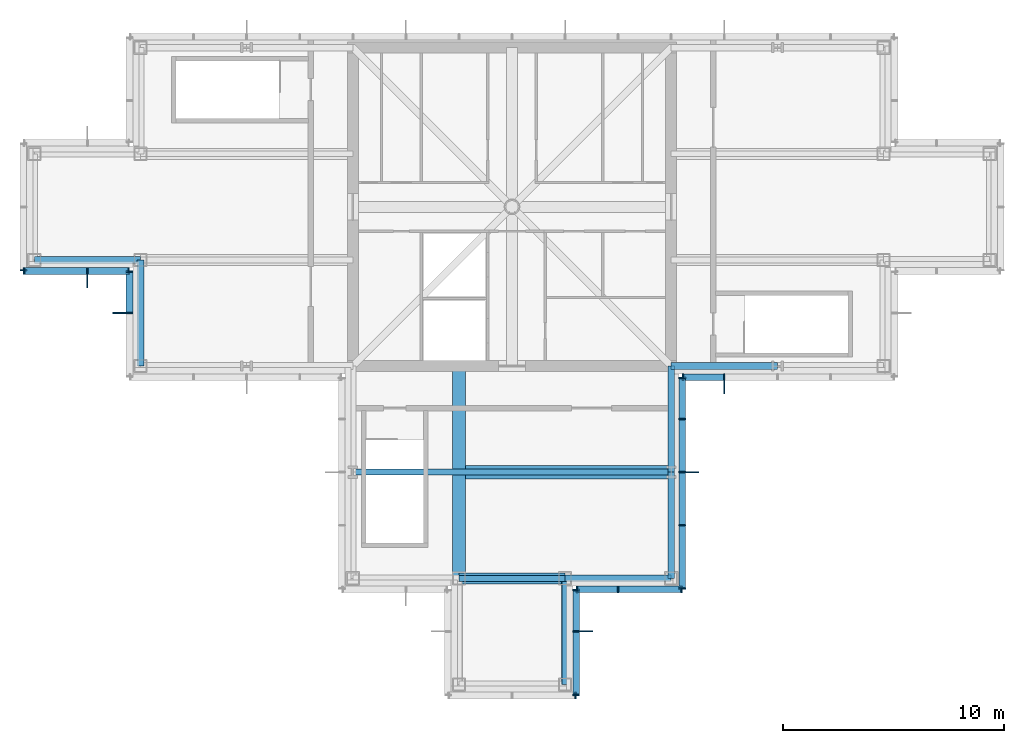
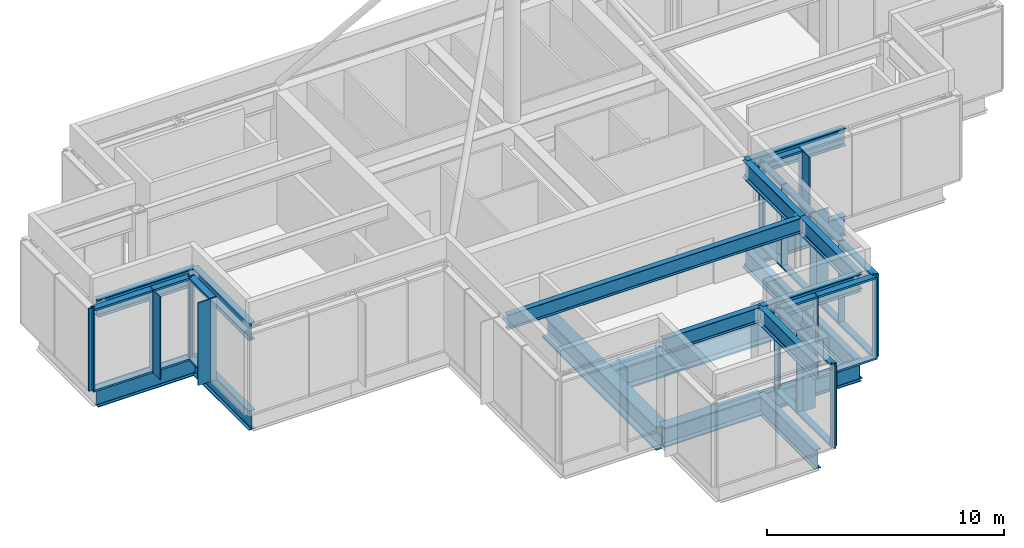
# One storey, part 3 of 10: 49 members, 19 beams, 8 elements without a shape of their own.
"""IFC4 building model written with IfcOpenShell, lengths in metres."""

from ifc_helpers import new_model, si_unit, direction, frame, origin, origin_2d, place, context, subcontext, project, spatial, rectangle, i_section, extrude, material, material_profile, profile_set, type_object, element, aggregate, save


model = new_model("IFC4")

# Units and contexts
model_context = context("Model", 3, precision=1e-05, world=origin(), true_north=direction((0.0, 1.0)))
body_context = subcontext(model_context, "Body", "Model", "MODEL_VIEW")
ifc_project = project(units=[si_unit("LENGTHUNIT", "METRE"), si_unit("AREAUNIT", "SQUARE_METRE"), si_unit("VOLUMEUNIT", "CUBIC_METRE"), si_unit("PLANEANGLEUNIT", "RADIAN"), si_unit("MASSUNIT", "GRAM", prefix="KILO")], contexts=[model_context])

# Site, building, storey
site_placement = place(None, origin())
site = spatial("IfcSite", under=ifc_project, at=site_placement, CompositionType="ELEMENT")
building_placement = place(site_placement, origin())
building = spatial("IfcBuilding", under=site, at=building_placement, Name="Kvirike Care Tower", CompositionType="ELEMENT")
storey_placement = place(building_placement, frame((0.0, 0.0, 248.0)))
storey = spatial("IfcBuildingStorey", under=building, at=storey_placement, Name="L68", CompositionType="ELEMENT", Elevation=248.0)

# Curtain wall, member
ifc_material_1 = material(Name="Anodised aluminium stick system", Category="aluminium")
curtain_wall_type = type_object("IfcCurtainWallType", Name="CW-L LOUVRED PLANT SCREEN", PredefinedType="NOTDEFINED", material=ifc_material_1)
curtain_wall_1_placement = place(storey_placement, origin())
curtain_wall_1 = element("IfcCurtainWall", 1, at=curtain_wall_1_placement, inside=storey, type_object=curtain_wall_type, Name="Curtain wall L68 face 1", PredefinedType="NOTDEFINED")
ifc_material_2 = material(Name="Bronze anodised aluminium fin", Category="aluminium")
ifc_material_profile_1 = material_profile(ifc_material_2, rectangle(XDim=0.050048828125, YDim=0.60009765625, at=origin_2d()), Name="BRONZE FIN 600")
ifc_profile_set_1 = profile_set([ifc_material_profile_1], Name="Bronze anodised aluminium fin")
member_type_1 = type_object("IfcMemberType", Name="BRONZE FIN 600", PredefinedType="USERDEFINED", material=ifc_profile_set_1)
member_1_placement = place(storey_placement, frame((31.199951171875, 27.85009765625, 0.0), z_axis=(0.0, 0.0, 1.0), x_axis=(1.0, 0.0, 0.0)))
member_1 = element("IfcMember", 2, at=member_1_placement, type_object=member_type_1, Name="Bronze fin L68 face 1.2", ObjectType="FIN", PredefinedType="USERDEFINED", context=body_context, shape_type="SweptSolid", body=[
    extrude(rectangle(XDim=0.050048828125, YDim=0.60009765625, at=origin_2d()), origin(), (0.0, 0.0, 1.0), 4.25),
])

curtain_wall_2_placement = place(storey_placement, origin())
curtain_wall_2 = element("IfcCurtainWall", 3, at=curtain_wall_2_placement, inside=storey, type_object=curtain_wall_type, Name="Curtain wall L68 face 11", PredefinedType="NOTDEFINED")
member_2_placement = place(storey_placement, frame((2.39990234375, 32.64990234375, 0.0), z_axis=(0.0, 0.0, 1.0), x_axis=(1.0, 0.0, 0.0)))
member_2 = element("IfcMember", 4, at=member_2_placement, type_object=member_type_1, Name="Bronze fin L68 face 11.2", ObjectType="FIN", PredefinedType="USERDEFINED", context=body_context, shape_type="SweptSolid", body=[
    extrude(rectangle(XDim=0.050048828125, YDim=0.60009765625, at=origin_2d()), origin(), (0.0, 0.0, 1.0), 4.25),
])

curtain_wall_3_placement = place(storey_placement, origin())
curtain_wall_3 = element("IfcCurtainWall", 5, at=curtain_wall_3_placement, inside=storey, type_object=curtain_wall_type, Name="Curtain wall L68 face 12", PredefinedType="NOTDEFINED")
member_3_placement = place(storey_placement, frame((3.85009765625, 31.199951171875, 0.0), z_axis=(0.0, 0.0, 1.0), x_axis=(0.0, -1.0, 0.0)))
member_3 = element("IfcMember", 6, at=member_3_placement, type_object=member_type_1, Name="Bronze fin L68 face 12.2", ObjectType="FIN", PredefinedType="USERDEFINED", context=body_context, shape_type="SweptSolid", body=[
    extrude(rectangle(XDim=0.050048828125, YDim=0.60009765625, at=origin_2d()), origin(), (0.0, 0.0, 1.0), 4.25),
])

curtain_wall_4_placement = place(storey_placement, origin())
curtain_wall_4 = element("IfcCurtainWall", 7, at=curtain_wall_4_placement, inside=storey, type_object=curtain_wall_type, Name="Curtain wall L68 face 18", PredefinedType="NOTDEFINED")
member_4_placement = place(storey_placement, frame((24.949951171875, 16.800048828125, 0.0), z_axis=(0.0, 0.0, 1.0), x_axis=(0.0, 1.0, 0.0)))
member_4 = element("IfcMember", 8, at=member_4_placement, type_object=member_type_1, Name="Bronze fin L68 face 18.2", ObjectType="FIN", PredefinedType="USERDEFINED", context=body_context, shape_type="SweptSolid", body=[
    extrude(rectangle(XDim=0.050048828125, YDim=0.60009765625, at=origin_2d()), origin(), (0.0, 0.0, 1.0), 4.25),
])

curtain_wall_5_placement = place(storey_placement, origin())
curtain_wall_5 = element("IfcCurtainWall", 9, at=curtain_wall_5_placement, inside=storey, type_object=curtain_wall_type, Name="Curtain wall L68 face 20", PredefinedType="NOTDEFINED")
member_5_placement = place(storey_placement, frame((29.75, 24.0, 0.0), z_axis=(0.0, 0.0, 1.0), x_axis=(0.0, 1.0, 0.0)))
member_5 = element("IfcMember", 10, at=member_5_placement, type_object=member_type_1, Name="Bronze fin L68 face 20.3", ObjectType="FIN", PredefinedType="USERDEFINED", context=body_context, shape_type="SweptSolid", body=[
    extrude(rectangle(XDim=0.050048828125, YDim=0.60009765625, at=origin_2d()), origin(), (0.0, 0.0, 1.0), 4.25),
])

# Member
ifc_material_3 = material(Name="Bronze anodised aluminium mullion", Category="aluminium")
ifc_material_profile_2 = material_profile(ifc_material_3, rectangle(XDim=0.06494140625, YDim=0.300048828125, at=origin_2d()), Name="CW-L MULLION 65x300")
ifc_profile_set_2 = profile_set([ifc_material_profile_2], Name="Bronze anodised aluminium mullion")
member_type_2 = type_object("IfcMemberType", Name="CW-L MULLION 65x300", PredefinedType="MULLION", material=ifc_profile_set_2)
member_6_placement = place(storey_placement, frame((29.33251953125, 28.300048828125, 0.0), z_axis=(0.0, 0.0, 1.0), x_axis=(1.0, 0.0, 0.0)))
member_6 = element("IfcMember", 11, at=member_6_placement, type_object=member_type_2, Name="CW-L mullion L68 face 1.1", PredefinedType="MULLION", context=body_context, shape_type="SweptSolid", body=[
    extrude(rectangle(XDim=0.06494140625, YDim=0.300048828125, at=origin_2d()), origin(), (0.0, 0.0, 1.0), 4.25),
])

member_7_placement = place(storey_placement, frame((31.199951171875, 28.300048828125, 0.0), z_axis=(0.0, 0.0, 1.0), x_axis=(1.0, 0.0, 0.0)))
member_7 = element("IfcMember", 12, at=member_7_placement, type_object=member_type_2, Name="CW-L mullion L68 face 1.2", PredefinedType="MULLION", context=body_context, shape_type="SweptSolid", body=[
    extrude(rectangle(XDim=0.06494140625, YDim=0.300048828125, at=origin_2d()), origin(), (0.0, 0.0, 1.0), 4.25),
])

# Curtain wall, member
curtain_wall_6_placement = place(storey_placement, origin())
curtain_wall_6 = element("IfcCurtainWall", 13, at=curtain_wall_6_placement, inside=storey, type_object=curtain_wall_type, Name="Curtain wall L68 face 10", PredefinedType="NOTDEFINED")
member_8_placement = place(storey_placement, frame((-0.5, 33.132568359375, 0.0), z_axis=(0.0, 0.0, 1.0), x_axis=(0.0, -1.0, 0.0)))
member_8 = element("IfcMember", 14, at=member_8_placement, type_object=member_type_2, Name="CW-L mullion L68 face 10.3", PredefinedType="MULLION", context=body_context, shape_type="SweptSolid", body=[
    extrude(rectangle(XDim=0.06494140625, YDim=0.300048828125, at=origin_2d()), origin(), (0.0, 0.0, 1.0), 4.25),
])
aggregate(curtain_wall_6, [member_8])

# Member
member_9_placement = place(storey_placement, frame((-0.467529296875, 33.10009765625, 0.0), z_axis=(0.0, 0.0, 1.0), x_axis=(1.0, 0.0, 0.0)))
member_9 = element("IfcMember", 15, at=member_9_placement, type_object=member_type_2, Name="CW-L mullion L68 face 11.1", PredefinedType="MULLION", context=body_context, shape_type="SweptSolid", body=[
    extrude(rectangle(XDim=0.06494140625, YDim=0.300048828125, at=origin_2d()), origin(), (0.0, 0.0, 1.0), 4.25),
])

member_10_placement = place(storey_placement, frame((2.39990234375, 33.10009765625, 0.0), z_axis=(0.0, 0.0, 1.0), x_axis=(1.0, 0.0, 0.0)))
member_10 = element("IfcMember", 16, at=member_10_placement, type_object=member_type_2, Name="CW-L mullion L68 face 11.2", PredefinedType="MULLION", context=body_context, shape_type="SweptSolid", body=[
    extrude(rectangle(XDim=0.06494140625, YDim=0.300048828125, at=origin_2d()), origin(), (0.0, 0.0, 1.0), 4.25),
])

member_11_placement = place(storey_placement, frame((4.267578125, 33.10009765625, 0.0), z_axis=(0.0, 0.0, 1.0), x_axis=(1.0, 0.0, 0.0)))
member_11 = element("IfcMember", 17, at=member_11_placement, type_object=member_type_2, Name="CW-L mullion L68 face 11.3", PredefinedType="MULLION", context=body_context, shape_type="SweptSolid", body=[
    extrude(rectangle(XDim=0.06494140625, YDim=0.300048828125, at=origin_2d()), origin(), (0.0, 0.0, 1.0), 4.25),
])

member_12_placement = place(storey_placement, frame((4.300048828125, 33.0673828125, 0.0), z_axis=(0.0, 0.0, 1.0), x_axis=(0.0, -1.0, 0.0)))
member_12 = element("IfcMember", 18, at=member_12_placement, type_object=member_type_2, Name="CW-L mullion L68 face 12.1", PredefinedType="MULLION", context=body_context, shape_type="SweptSolid", body=[
    extrude(rectangle(XDim=0.06494140625, YDim=0.300048828125, at=origin_2d()), origin(), (0.0, 0.0, 1.0), 4.25),
])

member_13_placement = place(storey_placement, frame((4.300048828125, 31.199951171875, 0.0), z_axis=(0.0, 0.0, 1.0), x_axis=(0.0, -1.0, 0.0)))
member_13 = element("IfcMember", 19, at=member_13_placement, type_object=member_type_2, Name="CW-L mullion L68 face 12.2", PredefinedType="MULLION", context=body_context, shape_type="SweptSolid", body=[
    extrude(rectangle(XDim=0.06494140625, YDim=0.300048828125, at=origin_2d()), origin(), (0.0, 0.0, 1.0), 4.25),
])

# Curtain wall, member
curtain_wall_7_placement = place(storey_placement, origin())
curtain_wall_7 = element("IfcCurtainWall", 20, at=curtain_wall_7_placement, inside=storey, type_object=curtain_wall_type, Name="Curtain wall L68 face 17", PredefinedType="NOTDEFINED")
member_14_placement = place(storey_placement, frame((24.467529296875, 13.89990234375, 0.0), z_axis=(0.0, 0.0, 1.0), x_axis=(1.0, 0.0, 0.0)))
member_14 = element("IfcMember", 21, at=member_14_placement, type_object=member_type_2, Name="CW-L mullion L68 face 17.3", PredefinedType="MULLION", context=body_context, shape_type="SweptSolid", body=[
    extrude(rectangle(XDim=0.06494140625, YDim=0.300048828125, at=origin_2d()), origin(), (0.0, 0.0, 1.0), 4.25),
])
aggregate(curtain_wall_7, [member_14])

# Member
member_15_placement = place(storey_placement, frame((24.5, 13.9326171875, 0.0), z_axis=(0.0, 0.0, 1.0), x_axis=(0.0, 1.0, 0.0)))
member_15 = element("IfcMember", 22, at=member_15_placement, type_object=member_type_2, Name="CW-L mullion L68 face 18.1", PredefinedType="MULLION", context=body_context, shape_type="SweptSolid", body=[
    extrude(rectangle(XDim=0.06494140625, YDim=0.300048828125, at=origin_2d()), origin(), (0.0, 0.0, 1.0), 4.25),
])

member_16_placement = place(storey_placement, frame((24.5, 16.800048828125, 0.0), z_axis=(0.0, 0.0, 1.0), x_axis=(0.0, 1.0, 0.0)))
member_16 = element("IfcMember", 23, at=member_16_placement, type_object=member_type_2, Name="CW-L mullion L68 face 18.2", PredefinedType="MULLION", context=body_context, shape_type="SweptSolid", body=[
    extrude(rectangle(XDim=0.06494140625, YDim=0.300048828125, at=origin_2d()), origin(), (0.0, 0.0, 1.0), 4.25),
])

member_17_placement = place(storey_placement, frame((24.5, 18.66748046875, 0.0), z_axis=(0.0, 0.0, 1.0), x_axis=(0.0, 1.0, 0.0)))
member_17 = element("IfcMember", 24, at=member_17_placement, type_object=member_type_2, Name="CW-L mullion L68 face 18.3", PredefinedType="MULLION", context=body_context, shape_type="SweptSolid", body=[
    extrude(rectangle(XDim=0.06494140625, YDim=0.300048828125, at=origin_2d()), origin(), (0.0, 0.0, 1.0), 4.25),
])

# Curtain wall, members
curtain_wall_8_placement = place(storey_placement, origin())
curtain_wall_8 = element("IfcCurtainWall", 25, at=curtain_wall_8_placement, inside=storey, type_object=curtain_wall_type, Name="Curtain wall L68 face 19", PredefinedType="NOTDEFINED")
member_18_placement = place(storey_placement, frame((24.532470703125, 18.699951171875, 0.0), z_axis=(0.0, 0.0, 1.0), x_axis=(1.0, 0.0, 0.0)))
member_18 = element("IfcMember", 26, at=member_18_placement, type_object=member_type_2, Name="CW-L mullion L68 face 19.1", PredefinedType="MULLION", context=body_context, shape_type="SweptSolid", body=[
    extrude(rectangle(XDim=0.06494140625, YDim=0.300048828125, at=origin_2d()), origin(), (0.0, 0.0, 1.0), 4.25),
])
member_19_placement = place(storey_placement, frame((26.39990234375, 18.699951171875, 0.0), z_axis=(0.0, 0.0, 1.0), x_axis=(1.0, 0.0, 0.0)))
member_19 = element("IfcMember", 27, at=member_19_placement, type_object=member_type_2, Name="CW-L mullion L68 face 19.2", PredefinedType="MULLION", context=body_context, shape_type="SweptSolid", body=[
    extrude(rectangle(XDim=0.06494140625, YDim=0.300048828125, at=origin_2d()), origin(), (0.0, 0.0, 1.0), 4.25),
])
member_20_placement = place(storey_placement, frame((29.267578125, 18.699951171875, 0.0), z_axis=(0.0, 0.0, 1.0), x_axis=(1.0, 0.0, 0.0)))
member_20 = element("IfcMember", 28, at=member_20_placement, type_object=member_type_2, Name="CW-L mullion L68 face 19.3", PredefinedType="MULLION", context=body_context, shape_type="SweptSolid", body=[
    extrude(rectangle(XDim=0.06494140625, YDim=0.300048828125, at=origin_2d()), origin(), (0.0, 0.0, 1.0), 4.25),
])

# Member
member_21_placement = place(storey_placement, frame((29.300048828125, 18.732421875, 0.0), z_axis=(0.0, 0.0, 1.0), x_axis=(0.0, 1.0, 0.0)))
member_21 = element("IfcMember", 29, at=member_21_placement, type_object=member_type_2, Name="CW-L mullion L68 face 20.1", PredefinedType="MULLION", context=body_context, shape_type="SweptSolid", body=[
    extrude(rectangle(XDim=0.06494140625, YDim=0.300048828125, at=origin_2d()), origin(), (0.0, 0.0, 1.0), 4.25),
])

member_22_placement = place(storey_placement, frame((29.300048828125, 21.60009765625, 0.0), z_axis=(0.0, 0.0, 1.0), x_axis=(0.0, 1.0, 0.0)))
member_22 = element("IfcMember", 30, at=member_22_placement, type_object=member_type_2, Name="CW-L mullion L68 face 20.2", PredefinedType="MULLION", context=body_context, shape_type="SweptSolid", body=[
    extrude(rectangle(XDim=0.06494140625, YDim=0.300048828125, at=origin_2d()), origin(), (0.0, 0.0, 1.0), 4.25),
])

member_23_placement = place(storey_placement, frame((29.300048828125, 24.0, 0.0), z_axis=(0.0, 0.0, 1.0), x_axis=(0.0, 1.0, 0.0)))
member_23 = element("IfcMember", 31, at=member_23_placement, type_object=member_type_2, Name="CW-L mullion L68 face 20.3", PredefinedType="MULLION", context=body_context, shape_type="SweptSolid", body=[
    extrude(rectangle(XDim=0.06494140625, YDim=0.300048828125, at=origin_2d()), origin(), (0.0, 0.0, 1.0), 4.25),
])

member_24_placement = place(storey_placement, frame((29.300048828125, 26.39990234375, 0.0), z_axis=(0.0, 0.0, 1.0), x_axis=(0.0, 1.0, 0.0)))
member_24 = element("IfcMember", 32, at=member_24_placement, type_object=member_type_2, Name="CW-L mullion L68 face 20.4", PredefinedType="MULLION", context=body_context, shape_type="SweptSolid", body=[
    extrude(rectangle(XDim=0.06494140625, YDim=0.300048828125, at=origin_2d()), origin(), (0.0, 0.0, 1.0), 4.25),
])

member_25_placement = place(storey_placement, frame((29.300048828125, 28.267578125, 0.0), z_axis=(0.0, 0.0, 1.0), x_axis=(0.0, 1.0, 0.0)))
member_25 = element("IfcMember", 33, at=member_25_placement, type_object=member_type_2, Name="CW-L mullion L68 face 20.5", PredefinedType="MULLION", context=body_context, shape_type="SweptSolid", body=[
    extrude(rectangle(XDim=0.06494140625, YDim=0.300048828125, at=origin_2d()), origin(), (0.0, 0.0, 1.0), 4.25),
])

ifc_material_4 = material(Name="Bronze anodised aluminium transom", Category="aluminium")
ifc_material_profile_3 = material_profile(ifc_material_4, rectangle(XDim=0.300048828125, YDim=0.10009765625, at=origin_2d()), Name="CW-L TRANSOM 300x100")
ifc_profile_set_3 = profile_set([ifc_material_profile_3], Name="Bronze anodised aluminium transom")
member_type_3 = type_object("IfcMemberType", Name="CW-L TRANSOM 300x100", PredefinedType="USERDEFINED", material=ifc_profile_set_3)
member_26_placement = place(storey_placement, frame((29.364990234375, 28.300048828125, 0.050048828125), z_axis=(1.0, 0.0, 0.0), x_axis=(0.0, 1.0, 0.0)))
member_26 = element("IfcMember", 34, at=member_26_placement, type_object=member_type_3, Name="CW-L sill transom L68 face 1.1", ObjectType="TRANSOM", PredefinedType="USERDEFINED", context=body_context, shape_type="SweptSolid", body=[
    extrude(rectangle(XDim=0.300048828125, YDim=0.10009765625, at=origin_2d()), origin(), (0.0, 0.0, 1.0), 1.802490234375),
])

member_27_placement = place(storey_placement, frame((29.364990234375, 28.300048828125, 4.199951171875), z_axis=(1.0, 0.0, 0.0), x_axis=(0.0, 1.0, 0.0)))
member_27 = element("IfcMember", 35, at=member_27_placement, type_object=member_type_3, Name="CW-L head transom L68 face 1.1", ObjectType="TRANSOM", PredefinedType="USERDEFINED", context=body_context, shape_type="SweptSolid", body=[
    extrude(rectangle(XDim=0.300048828125, YDim=0.10009765625, at=origin_2d()), origin(), (0.0, 0.0, 1.0), 1.802490234375),
])

aggregate(curtain_wall_1, [member_6, member_7, member_1, member_26, member_27])

member_28_placement = place(storey_placement, frame((-0.43505859375, 33.10009765625, 0.050048828125), z_axis=(1.0, 0.0, 0.0), x_axis=(0.0, 1.0, 0.0)))
member_28 = element("IfcMember", 36, at=member_28_placement, type_object=member_type_3, Name="CW-L sill transom L68 face 11.1", ObjectType="TRANSOM", PredefinedType="USERDEFINED", context=body_context, shape_type="SweptSolid", body=[
    extrude(rectangle(XDim=0.300048828125, YDim=0.10009765625, at=origin_2d()), origin(), (0.0, 0.0, 1.0), 2.802490234375),
])

member_29_placement = place(storey_placement, frame((-0.43505859375, 33.10009765625, 4.199951171875), z_axis=(1.0, 0.0, 0.0), x_axis=(0.0, 1.0, 0.0)))
member_29 = element("IfcMember", 37, at=member_29_placement, type_object=member_type_3, Name="CW-L head transom L68 face 11.1", ObjectType="TRANSOM", PredefinedType="USERDEFINED", context=body_context, shape_type="SweptSolid", body=[
    extrude(rectangle(XDim=0.300048828125, YDim=0.10009765625, at=origin_2d()), origin(), (0.0, 0.0, 1.0), 2.802490234375),
])

member_30_placement = place(storey_placement, frame((2.4326171875, 33.10009765625, 0.050048828125), z_axis=(1.0, 0.0, 0.0), x_axis=(0.0, 1.0, 0.0)))
member_30 = element("IfcMember", 38, at=member_30_placement, type_object=member_type_3, Name="CW-L sill transom L68 face 11.2", ObjectType="TRANSOM", PredefinedType="USERDEFINED", context=body_context, shape_type="SweptSolid", body=[
    extrude(rectangle(XDim=0.300048828125, YDim=0.10009765625, at=origin_2d()), origin(), (0.0, 0.0, 1.0), 1.802490234375),
])

member_31_placement = place(storey_placement, frame((2.4326171875, 33.10009765625, 4.199951171875), z_axis=(1.0, 0.0, 0.0), x_axis=(0.0, 1.0, 0.0)))
member_31 = element("IfcMember", 39, at=member_31_placement, type_object=member_type_3, Name="CW-L head transom L68 face 11.2", ObjectType="TRANSOM", PredefinedType="USERDEFINED", context=body_context, shape_type="SweptSolid", body=[
    extrude(rectangle(XDim=0.300048828125, YDim=0.10009765625, at=origin_2d()), origin(), (0.0, 0.0, 1.0), 1.802490234375),
])

aggregate(curtain_wall_2, [member_9, member_10, member_2, member_11, member_28, member_29, member_30, member_31])

member_32_placement = place(storey_placement, frame((4.300048828125, 33.034912109375, 0.050048828125), z_axis=(0.0, -1.0, 0.0), x_axis=(1.0, 0.0, 0.0)))
member_32 = element("IfcMember", 40, at=member_32_placement, type_object=member_type_3, Name="CW-L sill transom L68 face 12.1", ObjectType="TRANSOM", PredefinedType="USERDEFINED", context=body_context, shape_type="SweptSolid", body=[
    extrude(rectangle(XDim=0.300048828125, YDim=0.10009765625, at=origin_2d()), origin(), (0.0, 0.0, 1.0), 1.802490234375),
])

member_33_placement = place(storey_placement, frame((4.300048828125, 33.034912109375, 4.199951171875), z_axis=(0.0, -1.0, 0.0), x_axis=(1.0, 0.0, 0.0)))
member_33 = element("IfcMember", 41, at=member_33_placement, type_object=member_type_3, Name="CW-L head transom L68 face 12.1", ObjectType="TRANSOM", PredefinedType="USERDEFINED", context=body_context, shape_type="SweptSolid", body=[
    extrude(rectangle(XDim=0.300048828125, YDim=0.10009765625, at=origin_2d()), origin(), (0.0, 0.0, 1.0), 1.802490234375),
])

aggregate(curtain_wall_3, [member_12, member_13, member_3, member_32, member_33])

member_34_placement = place(storey_placement, frame((24.5, 13.965087890625, 0.050048828125), z_axis=(0.0, 1.0, 0.0), x_axis=(-1.0, 0.0, 0.0)))
member_34 = element("IfcMember", 42, at=member_34_placement, type_object=member_type_3, Name="CW-L sill transom L68 face 18.1", ObjectType="TRANSOM", PredefinedType="USERDEFINED", context=body_context, shape_type="SweptSolid", body=[
    extrude(rectangle(XDim=0.300048828125, YDim=0.10009765625, at=origin_2d()), origin(), (0.0, 0.0, 1.0), 2.802490234375),
])

member_35_placement = place(storey_placement, frame((24.5, 13.965087890625, 4.199951171875), z_axis=(0.0, 1.0, 0.0), x_axis=(-1.0, 0.0, 0.0)))
member_35 = element("IfcMember", 43, at=member_35_placement, type_object=member_type_3, Name="CW-L head transom L68 face 18.1", ObjectType="TRANSOM", PredefinedType="USERDEFINED", context=body_context, shape_type="SweptSolid", body=[
    extrude(rectangle(XDim=0.300048828125, YDim=0.10009765625, at=origin_2d()), origin(), (0.0, 0.0, 1.0), 2.802490234375),
])

member_36_placement = place(storey_placement, frame((24.5, 16.83251953125, 0.050048828125), z_axis=(0.0, 1.0, 0.0), x_axis=(-1.0, 0.0, 0.0)))
member_36 = element("IfcMember", 44, at=member_36_placement, type_object=member_type_3, Name="CW-L sill transom L68 face 18.2", ObjectType="TRANSOM", PredefinedType="USERDEFINED", context=body_context, shape_type="SweptSolid", body=[
    extrude(rectangle(XDim=0.300048828125, YDim=0.10009765625, at=origin_2d()), origin(), (0.0, 0.0, 1.0), 1.802490234375),
])

member_37_placement = place(storey_placement, frame((24.5, 16.83251953125, 4.199951171875), z_axis=(0.0, 1.0, 0.0), x_axis=(-1.0, 0.0, 0.0)))
member_37 = element("IfcMember", 45, at=member_37_placement, type_object=member_type_3, Name="CW-L head transom L68 face 18.2", ObjectType="TRANSOM", PredefinedType="USERDEFINED", context=body_context, shape_type="SweptSolid", body=[
    extrude(rectangle(XDim=0.300048828125, YDim=0.10009765625, at=origin_2d()), origin(), (0.0, 0.0, 1.0), 1.802490234375),
])

aggregate(curtain_wall_4, [member_15, member_16, member_4, member_17, member_34, member_35, member_36, member_37])

member_38_placement = place(storey_placement, frame((24.56494140625, 18.699951171875, 0.050048828125), z_axis=(1.0, 0.0, 0.0), x_axis=(0.0, 1.0, 0.0)))
member_38 = element("IfcMember", 46, at=member_38_placement, type_object=member_type_3, Name="CW-L sill transom L68 face 19.1", ObjectType="TRANSOM", PredefinedType="USERDEFINED", context=body_context, shape_type="SweptSolid", body=[
    extrude(rectangle(XDim=0.300048828125, YDim=0.10009765625, at=origin_2d()), origin(), (0.0, 0.0, 1.0), 1.802490234375),
])

member_39_placement = place(storey_placement, frame((24.56494140625, 18.699951171875, 4.199951171875), z_axis=(1.0, 0.0, 0.0), x_axis=(0.0, 1.0, 0.0)))
member_39 = element("IfcMember", 47, at=member_39_placement, type_object=member_type_3, Name="CW-L head transom L68 face 19.1", ObjectType="TRANSOM", PredefinedType="USERDEFINED", context=body_context, shape_type="SweptSolid", body=[
    extrude(rectangle(XDim=0.300048828125, YDim=0.10009765625, at=origin_2d()), origin(), (0.0, 0.0, 1.0), 1.802490234375),
])

member_40_placement = place(storey_placement, frame((26.4326171875, 18.699951171875, 0.050048828125), z_axis=(1.0, 0.0, 0.0), x_axis=(0.0, 1.0, 0.0)))
member_40 = element("IfcMember", 48, at=member_40_placement, type_object=member_type_3, Name="CW-L sill transom L68 face 19.2", ObjectType="TRANSOM", PredefinedType="USERDEFINED", context=body_context, shape_type="SweptSolid", body=[
    extrude(rectangle(XDim=0.300048828125, YDim=0.10009765625, at=origin_2d()), origin(), (0.0, 0.0, 1.0), 2.802490234375),
])

member_41_placement = place(storey_placement, frame((26.4326171875, 18.699951171875, 4.199951171875), z_axis=(1.0, 0.0, 0.0), x_axis=(0.0, 1.0, 0.0)))
member_41 = element("IfcMember", 49, at=member_41_placement, type_object=member_type_3, Name="CW-L head transom L68 face 19.2", ObjectType="TRANSOM", PredefinedType="USERDEFINED", context=body_context, shape_type="SweptSolid", body=[
    extrude(rectangle(XDim=0.300048828125, YDim=0.10009765625, at=origin_2d()), origin(), (0.0, 0.0, 1.0), 2.802490234375),
])

aggregate(curtain_wall_8, [member_18, member_19, member_20, member_38, member_39, member_40, member_41])

member_42_placement = place(storey_placement, frame((29.300048828125, 18.764892578125, 0.050048828125), z_axis=(0.0, 1.0, 0.0), x_axis=(-1.0, 0.0, 0.0)))
member_42 = element("IfcMember", 50, at=member_42_placement, type_object=member_type_3, Name="CW-L sill transom L68 face 20.1", ObjectType="TRANSOM", PredefinedType="USERDEFINED", context=body_context, shape_type="SweptSolid", body=[
    extrude(rectangle(XDim=0.300048828125, YDim=0.10009765625, at=origin_2d()), origin(), (0.0, 0.0, 1.0), 2.802490234375),
])

member_43_placement = place(storey_placement, frame((29.300048828125, 18.764892578125, 4.199951171875), z_axis=(0.0, 1.0, 0.0), x_axis=(-1.0, 0.0, 0.0)))
member_43 = element("IfcMember", 51, at=member_43_placement, type_object=member_type_3, Name="CW-L head transom L68 face 20.1", ObjectType="TRANSOM", PredefinedType="USERDEFINED", context=body_context, shape_type="SweptSolid", body=[
    extrude(rectangle(XDim=0.300048828125, YDim=0.10009765625, at=origin_2d()), origin(), (0.0, 0.0, 1.0), 2.802490234375),
])

member_44_placement = place(storey_placement, frame((29.300048828125, 21.632568359375, 0.050048828125), z_axis=(0.0, 1.0, 0.0), x_axis=(-1.0, 0.0, 0.0)))
member_44 = element("IfcMember", 52, at=member_44_placement, type_object=member_type_3, Name="CW-L sill transom L68 face 20.2", ObjectType="TRANSOM", PredefinedType="USERDEFINED", context=body_context, shape_type="SweptSolid", body=[
    extrude(rectangle(XDim=0.300048828125, YDim=0.10009765625, at=origin_2d()), origin(), (0.0, 0.0, 1.0), 2.3349609375),
])

member_45_placement = place(storey_placement, frame((29.300048828125, 21.632568359375, 4.199951171875), z_axis=(0.0, 1.0, 0.0), x_axis=(-1.0, 0.0, 0.0)))
member_45 = element("IfcMember", 53, at=member_45_placement, type_object=member_type_3, Name="CW-L head transom L68 face 20.2", ObjectType="TRANSOM", PredefinedType="USERDEFINED", context=body_context, shape_type="SweptSolid", body=[
    extrude(rectangle(XDim=0.300048828125, YDim=0.10009765625, at=origin_2d()), origin(), (0.0, 0.0, 1.0), 2.3349609375),
])

member_46_placement = place(storey_placement, frame((29.300048828125, 24.032470703125, 0.050048828125), z_axis=(0.0, 1.0, 0.0), x_axis=(-1.0, 0.0, 0.0)))
member_46 = element("IfcMember", 54, at=member_46_placement, type_object=member_type_3, Name="CW-L sill transom L68 face 20.3", ObjectType="TRANSOM", PredefinedType="USERDEFINED", context=body_context, shape_type="SweptSolid", body=[
    extrude(rectangle(XDim=0.300048828125, YDim=0.10009765625, at=origin_2d()), origin(), (0.0, 0.0, 1.0), 2.3349609375),
])

member_47_placement = place(storey_placement, frame((29.300048828125, 24.032470703125, 4.199951171875), z_axis=(0.0, 1.0, 0.0), x_axis=(-1.0, 0.0, 0.0)))
member_47 = element("IfcMember", 55, at=member_47_placement, type_object=member_type_3, Name="CW-L head transom L68 face 20.3", ObjectType="TRANSOM", PredefinedType="USERDEFINED", context=body_context, shape_type="SweptSolid", body=[
    extrude(rectangle(XDim=0.300048828125, YDim=0.10009765625, at=origin_2d()), origin(), (0.0, 0.0, 1.0), 2.3349609375),
])

member_48_placement = place(storey_placement, frame((29.300048828125, 26.4326171875, 0.050048828125), z_axis=(0.0, 1.0, 0.0), x_axis=(-1.0, 0.0, 0.0)))
member_48 = element("IfcMember", 56, at=member_48_placement, type_object=member_type_3, Name="CW-L sill transom L68 face 20.4", ObjectType="TRANSOM", PredefinedType="USERDEFINED", context=body_context, shape_type="SweptSolid", body=[
    extrude(rectangle(XDim=0.300048828125, YDim=0.10009765625, at=origin_2d()), origin(), (0.0, 0.0, 1.0), 1.802490234375),
])

member_49_placement = place(storey_placement, frame((29.300048828125, 26.4326171875, 4.199951171875), z_axis=(0.0, 1.0, 0.0), x_axis=(-1.0, 0.0, 0.0)))
member_49 = element("IfcMember", 57, at=member_49_placement, type_object=member_type_3, Name="CW-L head transom L68 face 20.4", ObjectType="TRANSOM", PredefinedType="USERDEFINED", context=body_context, shape_type="SweptSolid", body=[
    extrude(rectangle(XDim=0.300048828125, YDim=0.10009765625, at=origin_2d()), origin(), (0.0, 0.0, 1.0), 1.802490234375),
])

aggregate(curtain_wall_5, [member_21, member_22, member_23, member_5, member_24, member_25, member_42, member_43, member_44, member_45, member_46, member_47, member_48, member_49])

# Beams
ifc_material_5 = material(Name="Steel S355", Category="steel")
ifc_material_profile_4 = material_profile(ifc_material_5, i_section(OverallWidth=0.26708984375, OverallDepth=0.761962890625, WebThickness=0.014404296875, FlangeThickness=0.021484375, FilletRadius=0.01708984375, at=origin_2d()), Name="IPE 750x173")
ifc_profile_set_4 = profile_set([ifc_material_profile_4], Name="Steel S355")
beam_type_1 = type_object("IfcBeamType", Name="FLOOR BEAM IPE 750x173", PredefinedType="BEAM", material=ifc_profile_set_4)
beam_1_placement = place(storey_placement, frame((19.199951171875, 19.199951171875, 3.868896484375), z_axis=(1.0, 0.0, 0.0), x_axis=(0.0, 1.0, 0.0)))
element("IfcBeam", 58, at=beam_1_placement, inside=storey, type_object=beam_type_1, Name="Floor Beam E7-E8 roof", PredefinedType="BEAM", context=body_context, shape_type="SweptSolid", body=[
    extrude(i_section(OverallWidth=0.26708984375, OverallDepth=0.761962890625, WebThickness=0.014404296875, FlangeThickness=0.021484375, FilletRadius=0.01708984375, at=origin_2d()), origin(), (0.0, 0.0, 1.0), 4.800048828125),
])
beam_2_placement = place(storey_placement, frame((14.39990234375, 24.0, 3.868896484375), z_axis=(1.0, 0.0, 0.0), x_axis=(0.0, 1.0, 0.0)))
element("IfcBeam", 59, at=beam_2_placement, inside=storey, type_object=beam_type_1, Name="Floor Beam F6-F9 roof", PredefinedType="BEAM", context=body_context, shape_type="SweptSolid", body=[
    extrude(i_section(OverallWidth=0.26708984375, OverallDepth=0.761962890625, WebThickness=0.014404296875, FlangeThickness=0.021484375, FilletRadius=0.01708984375, at=origin_2d()), origin(), (0.0, 0.0, 1.0), 14.400146484375),
])
ifc_material_6 = material(Name="Steel S355", Category="steel")
ifc_material_profile_5 = material_profile(ifc_material_6, i_section(OverallWidth=0.5, OverallDepth=1.0, WebThickness=0.030029296875, FlangeThickness=0.06005859375, at=origin_2d()), Name="PG 1000x500x30x60")
ifc_profile_set_5 = profile_set([ifc_material_profile_5], Name="Steel S355")
beam_type_2 = type_object("IfcBeamType", Name="PLANT FLOOR GIRDER PG 1000x500x30x60", PredefinedType="BEAM", material=ifc_profile_set_5)
beam_3_placement = place(storey_placement, frame((19.199951171875, 19.199951171875, -0.75), z_axis=(1.0, 0.0, 0.0), x_axis=(0.0, 1.0, 0.0)))
element("IfcBeam", 60, at=beam_3_placement, inside=storey, type_object=beam_type_2, Name="Plant Floor Girder E7-E8 L68", PredefinedType="BEAM", context=body_context, shape_type="SweptSolid", body=[
    extrude(i_section(OverallWidth=0.5, OverallDepth=1.0, WebThickness=0.030029296875, FlangeThickness=0.06005859375, at=origin_2d()), origin(), (0.0, 0.0, 1.0), 4.800048828125),
])
ifc_material_7 = material(Name="Steel S355", Category="steel")
ifc_material_profile_6 = material_profile(ifc_material_7, i_section(OverallWidth=0.60009765625, OverallDepth=1.199951171875, WebThickness=0.0400390625, FlangeThickness=0.080078125, at=origin_2d()), Name="PG 1200x600x40x80")
ifc_profile_set_6 = profile_set([ifc_material_profile_6], Name="Steel S355")
beam_type_3 = type_object("IfcBeamType", Name="PLANT FLOOR GIRDER PG 1200x600x40x80", PredefinedType="BEAM", material=ifc_profile_set_6)
for number, where, z_axis, x_axis, name in (
    (61, (19.199951171875, 24.0, -0.85009765625), (1.0, 0.0, 0.0), (0.0, 1.0, 0.0), "Plant Floor Girder F7-F9 L68"),
    (62, (19.199951171875, 19.199951171875, -0.85009765625), (0.0, 1.0, 0.0), (-1.0, 0.0, 0.0), "Plant Floor Girder E7-G7 L68"),
):
    element("IfcBeam", number, at=place(storey_placement, frame(where, z_axis=z_axis, x_axis=x_axis)), inside=storey, type_object=beam_type_3, Name=name, PredefinedType="BEAM", context=body_context, shape_type="SweptSolid", body=[
        extrude(i_section(OverallWidth=0.60009765625, OverallDepth=1.199951171875, WebThickness=0.0400390625, FlangeThickness=0.080078125, at=origin_2d()), origin(), (0.0, 0.0, 1.0), 9.60009765625),
    ])
ifc_material_8 = material(Name="Steel S355", Category="steel")
ifc_material_profile_7 = material_profile(ifc_material_8, i_section(OverallWidth=0.302001953125, OverallDepth=1.008056640625, WebThickness=0.02099609375, FlangeThickness=0.0400390625, FilletRadius=0.030029296875, at=origin_2d()), Name="HE 1000 M")
ifc_profile_set_7 = profile_set([ifc_material_profile_7], Name="Steel S355")
beam_type_4 = type_object("IfcBeamType", Name="SPANDREL HE 1000 M", PredefinedType="SPANDREL", material=ifc_profile_set_7)
for number, where, z_axis, x_axis, name in (
    (63, (24.0, 19.199951171875, -0.75390625), (1.0, 0.0, 0.0), (0.0, 1.0, 0.0), "Spandrel E8-E9 L68"),
    (64, (28.800048828125, 28.800048828125, -0.75390625), (1.0, 0.0, 0.0), (0.0, 1.0, 0.0), "Spandrel G9-G10 L68"),
    (65, (0.0, 33.60009765625, -0.75390625), (1.0, 0.0, 0.0), (0.0, 1.0, 0.0), "Spandrel H3-H4 L68"),
    (66, (4.800048828125, 28.800048828125, -0.75390625), (0.0, 1.0, 0.0), (-1.0, 0.0, 0.0), "Spandrel G4-H4 L68"),
    (67, (24.0, 14.39990234375, -0.75390625), (0.0, 1.0, 0.0), (-1.0, 0.0, 0.0), "Spandrel D8-E8 L68"),
    (68, (28.800048828125, 19.199951171875, -0.75390625), (0.0, 1.0, 0.0), (-1.0, 0.0, 0.0), "Spandrel E9-F9 L68"),
    (69, (28.800048828125, 24.0, -0.75390625), (0.0, 1.0, 0.0), (-1.0, 0.0, 0.0), "Spandrel F9-G9 L68"),
):
    element("IfcBeam", number, at=place(storey_placement, frame(where, z_axis=z_axis, x_axis=x_axis)), inside=storey, type_object=beam_type_4, Name=name, PredefinedType="SPANDREL", context=body_context, shape_type="SweptSolid", body=[
        extrude(i_section(OverallWidth=0.302001953125, OverallDepth=1.008056640625, WebThickness=0.02099609375, FlangeThickness=0.0400390625, FilletRadius=0.030029296875, at=origin_2d()), origin(), (0.0, 0.0, 1.0), 4.800048828125),
    ])
ifc_material_9 = material(Name="Steel S355", Category="steel")
ifc_material_profile_8 = material_profile(ifc_material_9, i_section(OverallWidth=0.300048828125, OverallDepth=0.89990234375, WebThickness=0.0185546875, FlangeThickness=0.034912109375, FilletRadius=0.030029296875, at=origin_2d()), Name="HE 900 B")
ifc_profile_set_8 = profile_set([ifc_material_profile_8], Name="Steel S355")
beam_type_5 = type_object("IfcBeamType", Name="SPANDREL HE 900 B", PredefinedType="SPANDREL", material=ifc_profile_set_8)
for number, where, z_axis, x_axis, name in (
    (70, (24.0, 19.199951171875, 3.800048828125), (1.0, 0.0, 0.0), (0.0, 1.0, 0.0), "Spandrel E8-E9 roof"),
    (71, (28.800048828125, 28.800048828125, 3.800048828125), (1.0, 0.0, 0.0), (0.0, 1.0, 0.0), "Spandrel G9-G10 roof"),
    (72, (0.0, 33.60009765625, 3.800048828125), (1.0, 0.0, 0.0), (0.0, 1.0, 0.0), "Spandrel H3-H4 roof"),
    (73, (4.800048828125, 28.800048828125, 3.800048828125), (0.0, 1.0, 0.0), (-1.0, 0.0, 0.0), "Spandrel G4-H4 roof"),
    (74, (24.0, 14.39990234375, 3.800048828125), (0.0, 1.0, 0.0), (-1.0, 0.0, 0.0), "Spandrel D8-E8 roof"),
    (75, (28.800048828125, 19.199951171875, 3.800048828125), (0.0, 1.0, 0.0), (-1.0, 0.0, 0.0), "Spandrel E9-F9 roof"),
    (76, (28.800048828125, 24.0, 3.800048828125), (0.0, 1.0, 0.0), (-1.0, 0.0, 0.0), "Spandrel F9-G9 roof"),
):
    element("IfcBeam", number, at=place(storey_placement, frame(where, z_axis=z_axis, x_axis=x_axis)), inside=storey, type_object=beam_type_5, Name=name, PredefinedType="SPANDREL", context=body_context, shape_type="SweptSolid", body=[
        extrude(i_section(OverallWidth=0.300048828125, OverallDepth=0.89990234375, WebThickness=0.0185546875, FlangeThickness=0.034912109375, FilletRadius=0.030029296875, at=origin_2d()), origin(), (0.0, 0.0, 1.0), 4.800048828125),
    ])

save(model, "model.ifc")
